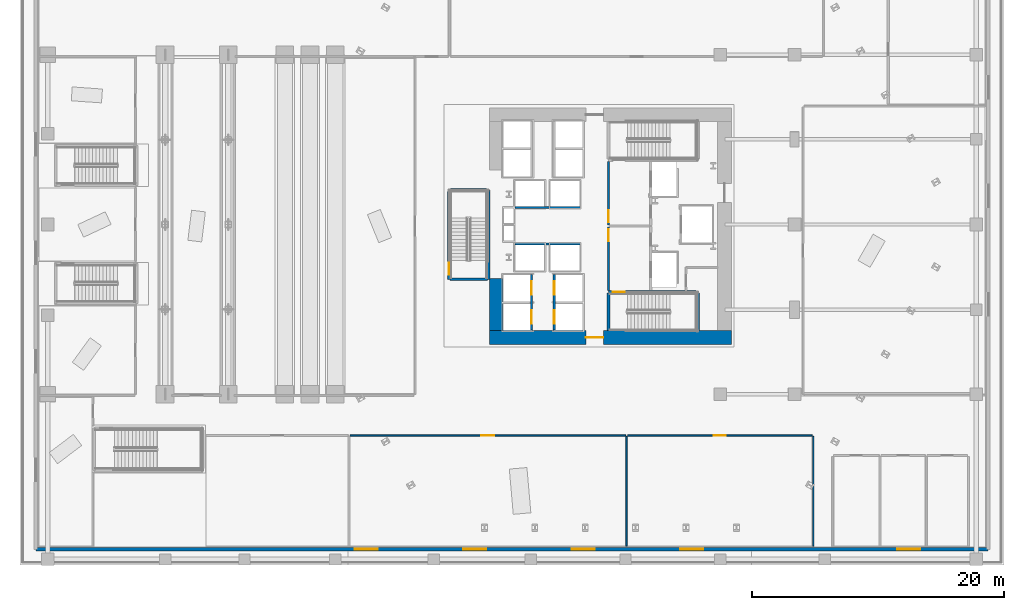
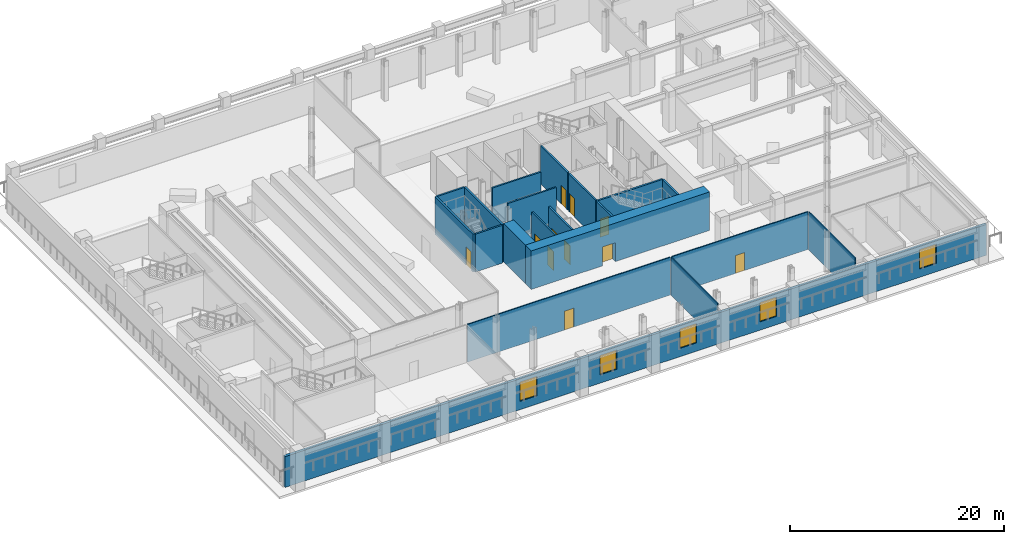
# One storey, part 8 of 24: 20 walls, 11 doors, 5 windows, 16 openings.
"""IFC4 building model written with IfcOpenShell, lengths in metres."""

from ifc_helpers import new_model, si_unit, direction, frame, frame_2d, origin, place, context, subcontext, project, spatial, rectangle, extrude, material, layer, layer_set, type_object, element, fill, save


model = new_model("IFC4")

# Units and contexts
model_context = context("Model", 3, precision=1e-05, world=origin(), true_north=direction((0.0, 1.0)))
body_context = subcontext(model_context, "Body", "Model", "MODEL_VIEW")
ifc_project = project(units=[si_unit("LENGTHUNIT", "METRE"), si_unit("AREAUNIT", "SQUARE_METRE"), si_unit("VOLUMEUNIT", "CUBIC_METRE"), si_unit("PLANEANGLEUNIT", "RADIAN"), si_unit("MASSUNIT", "GRAM", prefix="KILO")], contexts=[model_context])

# Site, building, storey
site_placement = place(None, origin())
site = spatial("IfcSite", under=ifc_project, at=site_placement, CompositionType="ELEMENT")
building_placement = place(site_placement, origin())
building = spatial("IfcBuilding", under=site, at=building_placement, Name="Valkerne Bourse Tower", CompositionType="ELEMENT")
storey_placement = place(building_placement, frame((0.0, 0.0, 19.39990234375)))
storey = spatial("IfcBuildingStorey", under=building, at=storey_placement, Name="L04", CompositionType="ELEMENT", Elevation=19.39990234375)

# Wall, opening, door
ifc_material_1 = material(Name="Concrete C70/85", Category="concrete")
ifc_layer_1 = layer(ifc_material_1, 1.10009765625)
ifc_layer_set_1 = layer_set([ifc_layer_1], Name="Concrete C70/85")
wall_type_1 = type_object("IfcWallType", Name="W-CORE-1100", PredefinedType="SHEAR", material=ifc_layer_set_1)
wall_1_placement = place(storey_placement, frame((37.199951171875, 18.050048828125, 0.0), z_axis=(0.0, 0.0, 1.0), x_axis=(1.0, 0.0, 0.0)))
wall_1 = element("IfcWall", 1, at=wall_1_placement, inside=storey, type_object=wall_type_1, Name="L04 Core Shear Wall SOUTH", PredefinedType="SHEAR", context=body_context, shape_type="SweptSolid", body=[
    extrude(rectangle(XDim=19.199951171875, YDim=1.10009765625, at=frame_2d((9.60009765625, 0.0))), origin(), (0.0, 0.0, 1.0), 4.380126953125),
])
opening_1_placement = place(wall_1_placement, frame((7.64990234375, 0.0, 0.0)))
opening_1 = element("IfcOpeningElement", 2, at=opening_1_placement, cuts=wall_1, Name="Opening D-PL-1400", PredefinedType="OPENING", context=body_context, shape_type="SweptSolid", body=[
    extrude(rectangle(XDim=1.39990234375, YDim=2.14990234375, at=frame_2d((0.699951171875, 1.074951171875))), frame((0.0, 0.56005859375, 0.0), z_axis=(0.0, -1.0, 0.0), x_axis=(1.0, 0.0, 0.0)), (0.0, 0.0, 1.0), 1.1201171875),
])
ifc_material_2 = material(Name="Galvanised Painted Steel", Category="steel")
door_type_1 = type_object("IfcDoorType", Name="DR-PLT-1400", OperationType="DOUBLE_DOOR_SINGLE_SWING", PredefinedType="DOOR", material=ifc_material_2)
door_1_placement = place(opening_1_placement, origin())
door_1 = element("IfcDoor", 3, at=door_1_placement, inside=storey, type_object=door_type_1, Name="L04 South Passenger Lift Hall Fire Door", OperationType="DOUBLE_DOOR_SINGLE_SWING", OverallHeight=2.14990234375, OverallWidth=1.39990234375, PredefinedType="DOOR", context=body_context, shape_type="SweptSolid", body=[
    extrude(rectangle(XDim=1.39990234375, YDim=2.14990234375, at=frame_2d((0.699951171875, 1.074951171875))), frame((0.0, 0.02490234375, 0.0), z_axis=(0.0, -1.0, 0.0), x_axis=(1.0, 0.0, 0.0)), (0.0, 0.0, 1.0), 0.050048828125),
])
fill(opening_1, door_1)

# Walls
wall_2_placement = place(storey_placement, frame((37.75, 18.60009765625, 0.0), z_axis=(0.0, 0.0, 1.0), x_axis=(0.0, 1.0, 0.0)))
element("IfcWall", 4, at=wall_2_placement, inside=storey, type_object=wall_type_1, Name="L04 Core Shear Wall WEST-S", PredefinedType="SHEAR", context=body_context, shape_type="SweptSolid", body=[
    extrude(rectangle(XDim=4.099853515625, YDim=1.10009765625, at=frame_2d((2.0498046875, 0.0))), origin(), (0.0, 0.0, 1.0), 4.380126953125),
])
ifc_material_3 = material(Name="Gypsum Board Steel-Stud Partition", Category="steel")
ifc_layer_2 = layer(ifc_material_3, 0.117919921875)
ifc_layer_set_2 = layer_set([ifc_layer_2], Name="Gypsum Board Steel-Stud Partition")
wall_type_2 = type_object("IfcWallType", Name="W-CORR-140", PredefinedType="PARTITIONING", material=ifc_layer_set_2)
wall_3_placement = place(storey_placement, frame((48.080078125, 1.5, 0.0), z_axis=(0.0, 0.0, 1.0), x_axis=(0.0, 1.0, 0.0)))
element("IfcWall", 5, at=wall_3_placement, inside=storey, type_object=wall_type_2, Name="L04 L04 Committee Conference Room Wall", PredefinedType="PARTITIONING", context=body_context, shape_type="SweptSolid", body=[
    extrude(rectangle(XDim=8.699951171875, YDim=0.117919921875, at=frame_2d((4.35009765625, 0.0))), origin(), (0.0, 0.0, 1.0), 4.300048828125),
])

# Wall, opening, door
wall_4_placement = place(storey_placement, frame((26.159912109375, 10.280029296875, 0.0), z_axis=(0.0, 0.0, 1.0), x_axis=(1.0, 0.0, 0.0)))
wall_4 = element("IfcWall", 6, at=wall_4_placement, inside=storey, type_object=wall_type_2, Name="L04 L04 Committee Conference Room Wall", PredefinedType="PARTITIONING", context=body_context, shape_type="SweptSolid", body=[
    extrude(rectangle(XDim=21.840087890625, YDim=0.117919921875, at=frame_2d((10.919921875, 0.0))), origin(), (0.0, 0.0, 1.0), 4.300048828125),
])
opening_2_placement = place(wall_4_placement, frame((10.419921875, 0.0, 0.0)))
opening_2 = element("IfcOpeningElement", 7, at=opening_2_placement, cuts=wall_4, Name="Opening D-MG-1000", PredefinedType="OPENING", context=body_context, shape_type="SweptSolid", body=[
    extrude(rectangle(XDim=1.0, YDim=2.14990234375, at=frame_2d((0.5, 1.074951171875))), frame((0.0, 0.06884765625, 0.0), z_axis=(0.0, -1.0, 0.0), x_axis=(1.0, 0.0, 0.0)), (0.0, 0.0, 1.0), 0.137939453125),
])
ifc_material_4 = material(Name="Laminated Tempered Safety Glass", Category="glass")
door_type_2 = type_object("IfcDoorType", Name="DR-MTG-1000", OperationType="NOTDEFINED", PredefinedType="DOOR", material=ifc_material_4)
door_2_placement = place(opening_2_placement, origin())
door_2 = element("IfcDoor", 8, at=door_2_placement, inside=storey, type_object=door_type_2, Name="L04 L04 Committee Conference Door", OperationType="SINGLE_SWING_LEFT", OverallHeight=2.14990234375, OverallWidth=1.0, PredefinedType="DOOR", context=body_context, shape_type="SweptSolid", body=[
    extrude(rectangle(XDim=1.0, YDim=2.14990234375, at=frame_2d((0.5, 1.074951171875))), frame((0.0, 0.02490234375, 0.0), z_axis=(0.0, -1.0, 0.0), x_axis=(1.0, 0.0, 0.0)), (0.0, 0.0, 1.0), 0.050048828125),
])
fill(opening_2, door_2)

# Wall
wall_5_placement = place(storey_placement, frame((62.8798828125, 1.5, 0.0), z_axis=(0.0, 0.0, 1.0), x_axis=(0.0, 1.0, 0.0)))
element("IfcWall", 9, at=wall_5_placement, inside=storey, type_object=wall_type_2, Name="L04 L04 Archive & Supplies Store Wall", PredefinedType="PARTITIONING", context=body_context, shape_type="SweptSolid", body=[
    extrude(rectangle(XDim=8.699951171875, YDim=0.117919921875, at=frame_2d((4.35009765625, 0.0))), origin(), (0.0, 0.0, 1.0), 4.300048828125),
])

# Wall, opening, door
wall_6_placement = place(storey_placement, frame((48.159912109375, 10.280029296875, 0.0), z_axis=(0.0, 0.0, 1.0), x_axis=(1.0, 0.0, 0.0)))
wall_6 = element("IfcWall", 10, at=wall_6_placement, inside=storey, type_object=wall_type_2, Name="L04 L04 Archive & Supplies Store Wall", PredefinedType="PARTITIONING", context=body_context, shape_type="SweptSolid", body=[
    extrude(rectangle(XDim=14.64013671875, YDim=0.117919921875, at=frame_2d((7.320068359375, 0.0))), origin(), (0.0, 0.0, 1.0), 4.300048828125),
])
opening_3_placement = place(wall_6_placement, frame((6.844970703125, 0.0, 0.0)))
opening_3 = element("IfcOpeningElement", 11, at=opening_3_placement, cuts=wall_6, Name="Opening D-SV-950", PredefinedType="OPENING", context=body_context, shape_type="SweptSolid", body=[
    extrude(rectangle(XDim=0.949951171875, YDim=2.050048828125, at=frame_2d((0.47509765625, 1.02490234375))), frame((0.0, 0.06884765625, 0.0), z_axis=(0.0, -1.0, 0.0), x_axis=(1.0, 0.0, 0.0)), (0.0, 0.0, 1.0), 0.137939453125),
])
door_type_3 = type_object("IfcDoorType", Name="DR-SRV-950", OperationType="NOTDEFINED", PredefinedType="DOOR", material=ifc_material_2)
door_3_placement = place(opening_3_placement, origin())
door_3 = element("IfcDoor", 12, at=door_3_placement, inside=storey, type_object=door_type_3, Name="L04 L04 Archive Store Door", OperationType="SINGLE_SWING_LEFT", OverallHeight=2.050048828125, OverallWidth=0.949951171875, PredefinedType="DOOR", context=body_context, shape_type="SweptSolid", body=[
    extrude(rectangle(XDim=0.949951171875, YDim=2.050048828125, at=frame_2d((0.47509765625, 1.02490234375))), frame((0.0, 0.02490234375, 0.0), z_axis=(0.0, -1.0, 0.0), x_axis=(1.0, 0.0, 0.0)), (0.0, 0.0, 1.0), 0.050048828125),
])
fill(opening_3, door_3)

# Wall, openings, windows
ifc_material_5 = material(Name="Bronze Anodised Aluminium AA 6063-T6", Category="aluminium")
ifc_layer_3 = layer(ifc_material_5, 0.300048828125)
ifc_layer_set_3 = layer_set([ifc_layer_3], Name="Bronze Anodised Aluminium AA 6063-T6")
wall_type_3 = type_object("IfcWallType", Name="W-EXT-ALUM-300", PredefinedType="STANDARD", material=ifc_layer_set_3)
wall_7_placement = place(storey_placement, frame((76.75, 1.25, 0.0), z_axis=(0.0, 0.0, 1.0), x_axis=(-1.0, 0.0, 0.0)))
wall_7 = element("IfcWall", 13, at=wall_7_placement, inside=storey, type_object=wall_type_3, Name="L04 Podium Exterior Wall SOUTH", PredefinedType="STANDARD", context=body_context, shape_type="SweptSolid", body=[
    extrude(rectangle(XDim=75.5, YDim=0.300048828125, at=frame_2d((37.75, 0.0))), origin(), (0.0, 0.0, 1.0), 3.50927734375),
])
opening_4_placement = place(wall_7_placement, frame((5.39990234375, 0.0, 0.949951171875)))
opening_4 = element("IfcOpeningElement", 14, at=opening_4_placement, cuts=wall_7, Name="Opening WN-03", PredefinedType="OPENING", context=body_context, shape_type="SweptSolid", body=[
    extrude(rectangle(XDim=1.800048828125, YDim=2.199951171875, at=frame_2d((0.89990234375, 1.10009765625))), frame((0.0, 0.159912109375, 0.0), z_axis=(0.0, -1.0, 0.0), x_axis=(1.0, 0.0, 0.0)), (0.0, 0.0, 1.0), 0.320068359375),
])
opening_5_placement = place(wall_7_placement, frame((22.60009765625, 0.0, 0.949951171875)))
opening_5 = element("IfcOpeningElement", 15, at=opening_5_placement, cuts=wall_7, Name="Opening WN-03", PredefinedType="OPENING", context=body_context, shape_type="SweptSolid", body=[
    extrude(rectangle(XDim=1.800048828125, YDim=2.199951171875, at=frame_2d((0.89990234375, 1.10009765625))), frame((0.0, 0.159912109375, 0.0), z_axis=(0.0, -1.0, 0.0), x_axis=(1.0, 0.0, 0.0)), (0.0, 0.0, 1.0), 0.320068359375),
])
opening_6_placement = place(wall_7_placement, frame((31.199951171875, 0.0, 0.949951171875)))
opening_6 = element("IfcOpeningElement", 16, at=opening_6_placement, cuts=wall_7, Name="Opening WN-03", PredefinedType="OPENING", context=body_context, shape_type="SweptSolid", body=[
    extrude(rectangle(XDim=1.800048828125, YDim=2.199951171875, at=frame_2d((0.89990234375, 1.10009765625))), frame((0.0, 0.159912109375, 0.0), z_axis=(0.0, -1.0, 0.0), x_axis=(1.0, 0.0, 0.0)), (0.0, 0.0, 1.0), 0.320068359375),
])
opening_7_placement = place(wall_7_placement, frame((39.800048828125, 0.0, 0.949951171875)))
opening_7 = element("IfcOpeningElement", 17, at=opening_7_placement, cuts=wall_7, Name="Opening WN-03", PredefinedType="OPENING", context=body_context, shape_type="SweptSolid", body=[
    extrude(rectangle(XDim=1.800048828125, YDim=2.199951171875, at=frame_2d((0.89990234375, 1.10009765625))), frame((0.0, 0.159912109375, 0.0), z_axis=(0.0, -1.0, 0.0), x_axis=(1.0, 0.0, 0.0)), (0.0, 0.0, 1.0), 0.320068359375),
])
opening_8_placement = place(wall_7_placement, frame((48.39990234375, 0.0, 0.949951171875)))
opening_8 = element("IfcOpeningElement", 18, at=opening_8_placement, cuts=wall_7, Name="Opening WN-03", PredefinedType="OPENING", context=body_context, shape_type="SweptSolid", body=[
    extrude(rectangle(XDim=1.800048828125, YDim=2.199951171875, at=frame_2d((0.89990234375, 1.10009765625))), frame((0.0, 0.159912109375, 0.0), z_axis=(0.0, -1.0, 0.0), x_axis=(1.0, 0.0, 0.0)), (0.0, 0.0, 1.0), 0.320068359375),
])
ifc_material_6 = material(Name="Glass IGU Low-E Double Glazed", Category="glass")
window_type = type_object("IfcWindowType", Name="WIN-POD-1800X2200", PartitioningType="SINGLE_PANEL", PredefinedType="WINDOW", material=ifc_material_6)
window_1_placement = place(opening_4_placement, origin())
window_1 = element("IfcWindow", 19, at=window_1_placement, inside=storey, type_object=window_type, Name="L04 Podium Low-E Window 13", OverallHeight=2.199951171875, OverallWidth=1.800048828125, PartitioningType="SINGLE_PANEL", PredefinedType="WINDOW", context=body_context, shape_type="SweptSolid", body=[
    extrude(rectangle(XDim=1.800048828125, YDim=2.199951171875, at=frame_2d((0.89990234375, 1.10009765625))), frame((0.0, 0.030029296875, 0.0), z_axis=(0.0, -1.0, 0.0), x_axis=(1.0, 0.0, 0.0)), (0.0, 0.0, 1.0), 0.06005859375),
])
fill(opening_4, window_1)
window_2_placement = place(opening_5_placement, origin())
window_2 = element("IfcWindow", 20, at=window_2_placement, inside=storey, type_object=window_type, Name="L04 Podium Low-E Window 14", OverallHeight=2.199951171875, OverallWidth=1.800048828125, PartitioningType="SINGLE_PANEL", PredefinedType="WINDOW", context=body_context, shape_type="SweptSolid", body=[
    extrude(rectangle(XDim=1.800048828125, YDim=2.199951171875, at=frame_2d((0.89990234375, 1.10009765625))), frame((0.0, 0.030029296875, 0.0), z_axis=(0.0, -1.0, 0.0), x_axis=(1.0, 0.0, 0.0)), (0.0, 0.0, 1.0), 0.06005859375),
])
fill(opening_5, window_2)
window_3_placement = place(opening_6_placement, origin())
window_3 = element("IfcWindow", 21, at=window_3_placement, inside=storey, type_object=window_type, Name="L04 Podium Low-E Window 15", OverallHeight=2.199951171875, OverallWidth=1.800048828125, PartitioningType="SINGLE_PANEL", PredefinedType="WINDOW", context=body_context, shape_type="SweptSolid", body=[
    extrude(rectangle(XDim=1.800048828125, YDim=2.199951171875, at=frame_2d((0.89990234375, 1.10009765625))), frame((0.0, 0.030029296875, 0.0), z_axis=(0.0, -1.0, 0.0), x_axis=(1.0, 0.0, 0.0)), (0.0, 0.0, 1.0), 0.06005859375),
])
fill(opening_6, window_3)
window_4_placement = place(opening_7_placement, origin())
window_4 = element("IfcWindow", 22, at=window_4_placement, inside=storey, type_object=window_type, Name="L04 Podium Low-E Window 16", OverallHeight=2.199951171875, OverallWidth=1.800048828125, PartitioningType="SINGLE_PANEL", PredefinedType="WINDOW", context=body_context, shape_type="SweptSolid", body=[
    extrude(rectangle(XDim=1.800048828125, YDim=2.199951171875, at=frame_2d((0.89990234375, 1.10009765625))), frame((0.0, 0.030029296875, 0.0), z_axis=(0.0, -1.0, 0.0), x_axis=(1.0, 0.0, 0.0)), (0.0, 0.0, 1.0), 0.06005859375),
])
fill(opening_7, window_4)
window_5_placement = place(opening_8_placement, origin())
window_5 = element("IfcWindow", 23, at=window_5_placement, inside=storey, type_object=window_type, Name="L04 Podium Low-E Window 17", OverallHeight=2.199951171875, OverallWidth=1.800048828125, PartitioningType="SINGLE_PANEL", PredefinedType="WINDOW", context=body_context, shape_type="SweptSolid", body=[
    extrude(rectangle(XDim=1.800048828125, YDim=2.199951171875, at=frame_2d((0.89990234375, 1.10009765625))), frame((0.0, 0.030029296875, 0.0), z_axis=(0.0, -1.0, 0.0), x_axis=(1.0, 0.0, 0.0)), (0.0, 0.0, 1.0), 0.06005859375),
])
fill(opening_8, window_5)

# Wall, opening, door
ifc_material_7 = material(Name="Gypsum Fire-Rated Shaftwall", Category="gypsum")
ifc_layer_4 = layer(ifc_material_7, 0.179931640625)
ifc_layer_set_4 = layer_set([ifc_layer_4], Name="Gypsum Fire-Rated Shaftwall")
wall_type_4 = type_object("IfcWallType", Name="W-FSAE-180", PredefinedType="PARTITIONING", material=ifc_layer_set_4)
wall_8_placement = place(storey_placement, frame((46.64990234375, 21.75, 0.0), z_axis=(0.0, 0.0, 1.0), x_axis=(0.0, 1.0, 0.0)))
wall_8 = element("IfcWall", 24, at=wall_8_placement, inside=storey, type_object=wall_type_4, Name="L04 FSAE-1 Lobby West Fire Wall", PredefinedType="PARTITIONING", context=body_context, shape_type="SweptSolid", body=[
    extrude(rectangle(XDim=5.050048828125, YDim=0.179931640625, at=frame_2d((2.52490234375, 0.0))), origin(), (0.0, 0.0, 1.0), 4.300048828125),
])
opening_9_placement = place(wall_8_placement, frame((3.919921875, 0.0, 0.0)))
opening_9 = element("IfcOpeningElement", 25, at=opening_9_placement, cuts=wall_8, Name="Opening D-FS-950", PredefinedType="OPENING", context=body_context, shape_type="SweptSolid", body=[
    extrude(rectangle(XDim=0.949951171875, YDim=2.10009765625, at=frame_2d((0.47509765625, 1.050048828125))), frame((0.0, 0.099853515625, 0.0), z_axis=(0.0, -1.0, 0.0), x_axis=(1.0, 0.0, 0.0)), (0.0, 0.0, 1.0), 0.199951171875),
])
door_type_4 = type_object("IfcDoorType", Name="DR-FSAE-950", OperationType="NOTDEFINED", PredefinedType="DOOR", material=ifc_material_2)
door_4_placement = place(opening_9_placement, origin())
door_4 = element("IfcDoor", 26, at=door_4_placement, inside=storey, type_object=door_type_4, Name="L04 FSAE-1 Hall Link Fire Door", OperationType="SINGLE_SWING_RIGHT", OverallHeight=2.10009765625, OverallWidth=0.949951171875, PredefinedType="DOOR", context=body_context, shape_type="SweptSolid", body=[
    extrude(rectangle(XDim=0.949951171875, YDim=2.10009765625, at=frame_2d((0.47509765625, 1.050048828125))), frame((0.0, 0.02490234375, 0.0), z_axis=(0.0, -1.0, 0.0), x_axis=(1.0, 0.0, 0.0)), (0.0, 0.0, 1.0), 0.050048828125),
])
fill(opening_9, door_4)

wall_9_placement = place(storey_placement, frame((46.64990234375, 26.9599609375, 0.0), z_axis=(0.0, 0.0, 1.0), x_axis=(0.0, 1.0, 0.0)))
wall_9 = element("IfcWall", 27, at=wall_9_placement, inside=storey, type_object=wall_type_4, Name="L04 FSAE-2 Lobby West Fire Wall", PredefinedType="PARTITIONING", context=body_context, shape_type="SweptSolid", body=[
    extrude(rectangle(XDim=5.0400390625, YDim=0.179931640625, at=frame_2d((2.52001953125, 0.0))), origin(), (0.0, 0.0, 1.0), 4.300048828125),
])
opening_10_placement = place(wall_9_placement, frame((0.219970703125, 0.0, 0.0)))
opening_10 = element("IfcOpeningElement", 28, at=opening_10_placement, cuts=wall_9, Name="Opening D-FS-950", PredefinedType="OPENING", context=body_context, shape_type="SweptSolid", body=[
    extrude(rectangle(XDim=0.949951171875, YDim=2.10009765625, at=frame_2d((0.47509765625, 1.050048828125))), frame((0.0, 0.099853515625, 0.0), z_axis=(0.0, -1.0, 0.0), x_axis=(1.0, 0.0, 0.0)), (0.0, 0.0, 1.0), 0.199951171875),
])
door_5_placement = place(opening_10_placement, origin())
door_5 = element("IfcDoor", 29, at=door_5_placement, inside=storey, type_object=door_type_4, Name="L04 FSAE-2 Hall Link Fire Door", OperationType="SINGLE_SWING_RIGHT", OverallHeight=2.10009765625, OverallWidth=0.949951171875, PredefinedType="DOOR", context=body_context, shape_type="SweptSolid", body=[
    extrude(rectangle(XDim=0.949951171875, YDim=2.10009765625, at=frame_2d((0.47509765625, 1.050048828125))), frame((0.0, 0.02490234375, 0.0), z_axis=(0.0, -1.0, 0.0), x_axis=(1.0, 0.0, 0.0)), (0.0, 0.0, 1.0), 0.050048828125),
])
fill(opening_10, door_5)

# Wall, openings, doors
ifc_material_8 = material(Name="CMU Blockwork Masonry 200mm", Category="masonry")
ifc_layer_5 = layer(ifc_material_8, 0.179931640625)
ifc_layer_set_5 = layer_set([ifc_layer_5], Name="CMU Blockwork Masonry 200mm")
wall_type_5 = type_object("IfcWallType", Name="W-LFT-180", PredefinedType="SOLIDWALL", material=ifc_layer_set_5)
wall_10_placement = place(storey_placement, frame((40.550048828125, 18.6201171875, 0.0), z_axis=(0.0, 0.0, 1.0), x_axis=(0.0, 1.0, 0.0)))
wall_10 = element("IfcWall", 30, at=wall_10_placement, inside=storey, type_object=wall_type_5, Name="L04 Low-Zone West Cars Front Wall", PredefinedType="SOLIDWALL", context=body_context, shape_type="SweptSolid", body=[
    extrude(rectangle(XDim=4.429931640625, YDim=0.179931640625, at=frame_2d((2.21484375, 0.0))), origin(), (0.0, 0.0, 1.0), 4.300048828125),
])
opening_11_placement = place(wall_10_placement, frame((0.5, 0.0, 0.0)))
opening_11 = element("IfcOpeningElement", 31, at=opening_11_placement, cuts=wall_10, Name="Opening LD-1100", PredefinedType="OPENING", context=body_context, shape_type="SweptSolid", body=[
    extrude(rectangle(XDim=1.10009765625, YDim=2.14990234375, at=frame_2d((0.550048828125, 1.074951171875))), frame((0.0, 0.099853515625, 0.0), z_axis=(0.0, -1.0, 0.0), x_axis=(1.0, 0.0, 0.0)), (0.0, 0.0, 1.0), 0.199951171875),
])
opening_12_placement = place(wall_10_placement, frame((2.800048828125, 0.0, 0.0)))
opening_12 = element("IfcOpeningElement", 32, at=opening_12_placement, cuts=wall_10, Name="Opening LD-1100", PredefinedType="OPENING", context=body_context, shape_type="SweptSolid", body=[
    extrude(rectangle(XDim=1.10009765625, YDim=2.14990234375, at=frame_2d((0.550048828125, 1.074951171875))), frame((0.0, 0.099853515625, 0.0), z_axis=(0.0, -1.0, 0.0), x_axis=(1.0, 0.0, 0.0)), (0.0, 0.0, 1.0), 0.199951171875),
])
ifc_material_9 = material(Name="Stainless Steel AISI 316", Category="steel")
door_type_5 = type_object("IfcDoorType", Name="DR-LIFT-1100", OperationType="DOUBLE_DOOR_SLIDING", PredefinedType="DOOR", material=ifc_material_9)
door_6_placement = place(opening_11_placement, origin())
door_6 = element("IfcDoor", 33, at=door_6_placement, inside=storey, type_object=door_type_5, Name="L04 Passenger Lift PL-L1 Sliding Landing Door", OperationType="DOUBLE_DOOR_SLIDING", OverallHeight=2.14990234375, OverallWidth=1.10009765625, PredefinedType="DOOR", context=body_context, shape_type="SweptSolid", body=[
    extrude(rectangle(XDim=1.10009765625, YDim=2.14990234375, at=frame_2d((0.550048828125, 1.074951171875))), frame((0.0, 0.02490234375, 0.0), z_axis=(0.0, -1.0, 0.0), x_axis=(1.0, 0.0, 0.0)), (0.0, 0.0, 1.0), 0.050048828125),
])
fill(opening_11, door_6)
door_7_placement = place(opening_12_placement, origin())
door_7 = element("IfcDoor", 34, at=door_7_placement, inside=storey, type_object=door_type_5, Name="L04 Passenger Lift PL-L2 Sliding Landing Door", OperationType="DOUBLE_DOOR_SLIDING", OverallHeight=2.14990234375, OverallWidth=1.10009765625, PredefinedType="DOOR", context=body_context, shape_type="SweptSolid", body=[
    extrude(rectangle(XDim=1.10009765625, YDim=2.14990234375, at=frame_2d((0.550048828125, 1.074951171875))), frame((0.0, 0.02490234375, 0.0), z_axis=(0.0, -1.0, 0.0), x_axis=(1.0, 0.0, 0.0)), (0.0, 0.0, 1.0), 0.050048828125),
])
fill(opening_12, door_7)

wall_11_placement = place(storey_placement, frame((42.35009765625, 18.6201171875, 0.0), z_axis=(0.0, 0.0, 1.0), x_axis=(0.0, 1.0, 0.0)))
wall_11 = element("IfcWall", 35, at=wall_11_placement, inside=storey, type_object=wall_type_5, Name="L04 Low-Zone East Cars Front Wall", PredefinedType="SOLIDWALL", context=body_context, shape_type="SweptSolid", body=[
    extrude(rectangle(XDim=4.429931640625, YDim=0.179931640625, at=frame_2d((2.21484375, 0.0))), origin(), (0.0, 0.0, 1.0), 4.300048828125),
])
opening_13_placement = place(wall_11_placement, frame((0.5, 0.0, 0.0)))
opening_13 = element("IfcOpeningElement", 36, at=opening_13_placement, cuts=wall_11, Name="Opening LD-1100", PredefinedType="OPENING", context=body_context, shape_type="SweptSolid", body=[
    extrude(rectangle(XDim=1.10009765625, YDim=2.14990234375, at=frame_2d((0.550048828125, 1.074951171875))), frame((0.0, 0.099853515625, 0.0), z_axis=(0.0, -1.0, 0.0), x_axis=(1.0, 0.0, 0.0)), (0.0, 0.0, 1.0), 0.199951171875),
])
opening_14_placement = place(wall_11_placement, frame((2.800048828125, 0.0, 0.0)))
opening_14 = element("IfcOpeningElement", 37, at=opening_14_placement, cuts=wall_11, Name="Opening LD-1100", PredefinedType="OPENING", context=body_context, shape_type="SweptSolid", body=[
    extrude(rectangle(XDim=1.10009765625, YDim=2.14990234375, at=frame_2d((0.550048828125, 1.074951171875))), frame((0.0, 0.099853515625, 0.0), z_axis=(0.0, -1.0, 0.0), x_axis=(1.0, 0.0, 0.0)), (0.0, 0.0, 1.0), 0.199951171875),
])
door_8_placement = place(opening_13_placement, origin())
door_8 = element("IfcDoor", 38, at=door_8_placement, inside=storey, type_object=door_type_5, Name="L04 Passenger Lift PL-L3 Sliding Landing Door", OperationType="DOUBLE_DOOR_SLIDING", OverallHeight=2.14990234375, OverallWidth=1.10009765625, PredefinedType="DOOR", context=body_context, shape_type="SweptSolid", body=[
    extrude(rectangle(XDim=1.10009765625, YDim=2.14990234375, at=frame_2d((0.550048828125, 1.074951171875))), frame((0.0, 0.02490234375, 0.0), z_axis=(0.0, -1.0, 0.0), x_axis=(1.0, 0.0, 0.0)), (0.0, 0.0, 1.0), 0.050048828125),
])
fill(opening_13, door_8)
door_9_placement = place(opening_14_placement, origin())
door_9 = element("IfcDoor", 39, at=door_9_placement, inside=storey, type_object=door_type_5, Name="L04 Passenger Lift PL-L4 Sliding Landing Door", OperationType="DOUBLE_DOOR_SLIDING", OverallHeight=2.14990234375, OverallWidth=1.10009765625, PredefinedType="DOOR", context=body_context, shape_type="SweptSolid", body=[
    extrude(rectangle(XDim=1.10009765625, YDim=2.14990234375, at=frame_2d((0.550048828125, 1.074951171875))), frame((0.0, 0.02490234375, 0.0), z_axis=(0.0, -1.0, 0.0), x_axis=(1.0, 0.0, 0.0)), (0.0, 0.0, 1.0), 0.050048828125),
])
fill(opening_14, door_9)

# Walls
for number, where, z_axis, x_axis, name in (
    (40, (39.25, 25.449951171875, 0.0), (0.0, 0.0, 1.0), (1.0, 0.0, 0.0), "L04 High-Zone South Cars Front Wall"),
    (41, (39.25, 28.35009765625, 0.0), (0.0, 0.0, 1.0), (1.0, 0.0, 0.0), "L04 High-Zone North Cars Front Wall"),
):
    element("IfcWall", number, at=place(storey_placement, frame(where, z_axis=z_axis, x_axis=x_axis)), inside=storey, type_object=wall_type_5, Name=name, PredefinedType="SOLIDWALL", context=body_context, shape_type="SweptSolid", body=[
        extrude(rectangle(XDim=5.199951171875, YDim=0.179931640625, at=frame_2d((2.60009765625, 0.0))), origin(), (0.0, 0.0, 1.0), 4.300048828125),
    ])

# Wall, opening, door
ifc_material_10 = material(Name="Concrete C40/50", Category="concrete")
ifc_layer_6 = layer(ifc_material_10, 0.199951171875)
ifc_layer_set_6 = layer_set([ifc_layer_6], Name="Concrete C40/50")
wall_type_6 = type_object("IfcWallType", Name="W-SHF-200", PredefinedType="SHEAR", material=ifc_layer_set_6)
wall_12_placement = place(storey_placement, frame((46.64990234375, 21.64990234375, 0.0), z_axis=(0.0, 0.0, 1.0), x_axis=(1.0, 0.0, 0.0)))
wall_12 = element("IfcWall", 42, at=wall_12_placement, inside=storey, type_object=wall_type_6, Name="L04 Exit Stair ST-1 Structural Shaft Wall North", PredefinedType="SHEAR", context=body_context, shape_type="SweptSolid", body=[
    extrude(rectangle(XDim=7.10009765625, YDim=0.199951171875, at=frame_2d((3.550048828125, 0.0))), origin(), (0.0, 0.0, 1.0), 4.300048828125),
])
opening_15_placement = place(wall_12_placement, frame((0.35009765625, 0.0, 0.0)))
opening_15 = element("IfcOpeningElement", 43, at=opening_15_placement, cuts=wall_12, Name="Opening D-ST-950", PredefinedType="OPENING", context=body_context, shape_type="SweptSolid", body=[
    extrude(rectangle(XDim=0.949951171875, YDim=2.10009765625, at=frame_2d((0.47509765625, 1.050048828125))), frame((0.0, 0.10986328125, 0.0), z_axis=(0.0, -1.0, 0.0), x_axis=(1.0, 0.0, 0.0)), (0.0, 0.0, 1.0), 0.219970703125),
])
door_type_6 = type_object("IfcDoorType", Name="DR-STAIR-950", OperationType="NOTDEFINED", PredefinedType="DOOR", material=ifc_material_2)
door_10_placement = place(opening_15_placement, origin())
door_10 = element("IfcDoor", 44, at=door_10_placement, inside=storey, type_object=door_type_6, Name="L04 Exit Stair ST-1 Door", OperationType="SINGLE_SWING_LEFT", OverallHeight=2.10009765625, OverallWidth=0.949951171875, PredefinedType="DOOR", context=body_context, shape_type="SweptSolid", body=[
    extrude(rectangle(XDim=0.949951171875, YDim=2.10009765625, at=frame_2d((0.47509765625, 1.050048828125))), frame((0.0, 0.02490234375, 0.0), z_axis=(0.0, -1.0, 0.0), x_axis=(1.0, 0.0, 0.0)), (0.0, 0.0, 1.0), 0.050048828125),
])
fill(opening_15, door_10)

# Walls
for number, where, z_axis, x_axis, name in (
    (45, (46.64990234375, 18.60009765625, 0.0), (0.0, 0.0, 1.0), (0.0, 1.0, 0.0), "L04 Exit Stair ST-1 Structural Shaft Wall West"),
    (46, (53.75, 18.60009765625, 0.0), (0.0, 0.0, 1.0), (0.0, 1.0, 0.0), "L04 Exit Stair ST-1 Structural Shaft Wall East"),
):
    element("IfcWall", number, at=place(storey_placement, frame(where, z_axis=z_axis, x_axis=x_axis)), inside=storey, type_object=wall_type_6, Name=name, PredefinedType="SHEAR", context=body_context, shape_type="SweptSolid", body=[
        extrude(rectangle(XDim=2.949951171875, YDim=0.199951171875, at=frame_2d((1.47509765625, 0.0))), origin(), (0.0, 0.0, 1.0), 4.300048828125),
    ])

# Wall, opening, door
wall_13_placement = place(storey_placement, frame((34.0, 22.64990234375, 0.0), z_axis=(0.0, 0.0, 1.0), x_axis=(0.0, 1.0, 0.0)))
wall_13 = element("IfcWall", 47, at=wall_13_placement, inside=storey, type_object=wall_type_6, Name="L04 Exit Stair ST-3 Structural Shaft Wall West", PredefinedType="SHEAR", context=body_context, shape_type="SweptSolid", body=[
    extrude(rectangle(XDim=7.10009765625, YDim=0.199951171875, at=frame_2d((3.550048828125, 0.0))), origin(), (0.0, 0.0, 1.0), 4.300048828125),
])
opening_16_placement = place(wall_13_placement, frame((0.35009765625, 0.0, 0.0)))
opening_16 = element("IfcOpeningElement", 48, at=opening_16_placement, cuts=wall_13, Name="Opening D-ST-950", PredefinedType="OPENING", context=body_context, shape_type="SweptSolid", body=[
    extrude(rectangle(XDim=0.949951171875, YDim=2.10009765625, at=frame_2d((0.47509765625, 1.050048828125))), frame((0.0, 0.10986328125, 0.0), z_axis=(0.0, -1.0, 0.0), x_axis=(1.0, 0.0, 0.0)), (0.0, 0.0, 1.0), 0.219970703125),
])
door_11_placement = place(opening_16_placement, origin())
door_11 = element("IfcDoor", 49, at=door_11_placement, inside=storey, type_object=door_type_6, Name="L04 Exit Stair ST-3 Door", OperationType="SINGLE_SWING_LEFT", OverallHeight=2.10009765625, OverallWidth=0.949951171875, PredefinedType="DOOR", context=body_context, shape_type="SweptSolid", body=[
    extrude(rectangle(XDim=0.949951171875, YDim=2.10009765625, at=frame_2d((0.47509765625, 1.050048828125))), frame((0.0, 0.02490234375, 0.0), z_axis=(0.0, -1.0, 0.0), x_axis=(1.0, 0.0, 0.0)), (0.0, 0.0, 1.0), 0.050048828125),
])
fill(opening_16, door_11)

# Walls
for number, where, z_axis, x_axis, name in (
    (50, (34.10009765625, 22.64990234375, 0.0), (0.0, 0.0, 1.0), (1.0, 0.0, 0.0), "L04 Exit Stair ST-3 Structural Shaft Wall South"),
    (51, (34.10009765625, 29.75, 0.0), (0.0, 0.0, 1.0), (1.0, 0.0, 0.0), "L04 Exit Stair ST-3 Structural Shaft Wall North"),
):
    element("IfcWall", number, at=place(storey_placement, frame(where, z_axis=z_axis, x_axis=x_axis)), inside=storey, type_object=wall_type_6, Name=name, PredefinedType="SHEAR", context=body_context, shape_type="SweptSolid", body=[
        extrude(rectangle(XDim=2.949951171875, YDim=0.199951171875, at=frame_2d((1.47509765625, 0.0))), origin(), (0.0, 0.0, 1.0), 4.300048828125),
    ])
wall_14_placement = place(storey_placement, frame((37.14990234375, 22.64990234375, 0.0), z_axis=(0.0, 0.0, 1.0), x_axis=(0.0, 1.0, 0.0)))
element("IfcWall", 52, at=wall_14_placement, inside=storey, type_object=wall_type_6, Name="L04 Exit Stair ST-3 Structural Shaft Wall East", PredefinedType="SHEAR", context=body_context, shape_type="SweptSolid", body=[
    extrude(rectangle(XDim=7.10009765625, YDim=0.199951171875, at=frame_2d((3.550048828125, 0.0))), origin(), (0.0, 0.0, 1.0), 4.300048828125),
])

save(model, "model.ifc")
